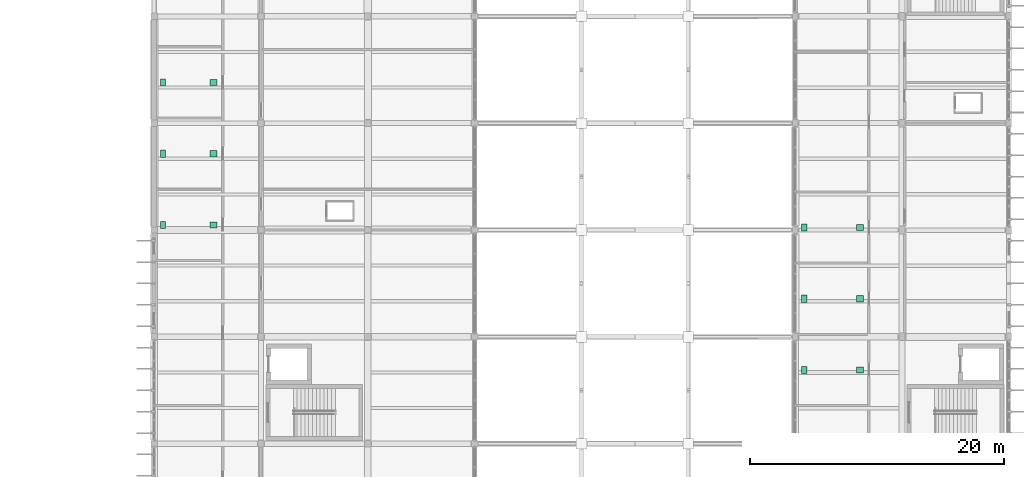
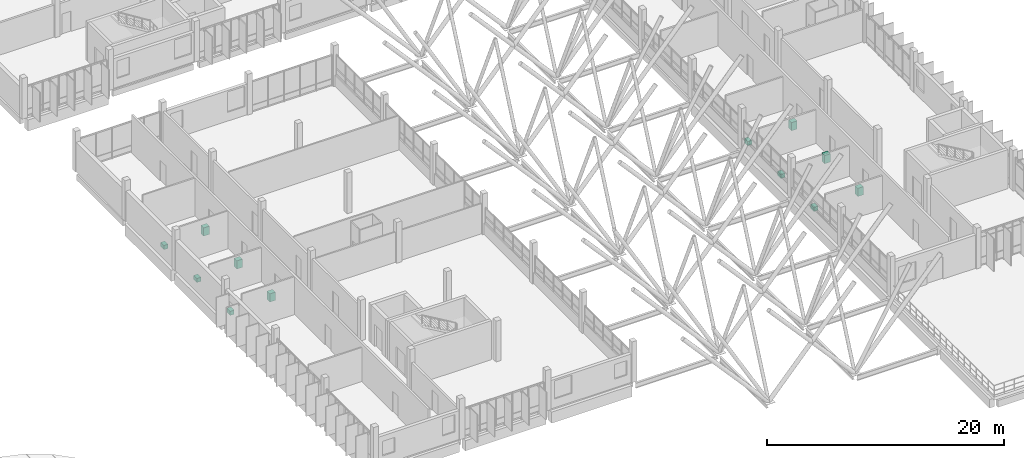
# One storey, part 107 of 107: 12 sanitary terminals.
"""IFC4 building model written with IfcOpenShell, lengths in metres."""

from ifc_helpers import new_model, si_unit, direction, frame, origin, origin_2d, place, context, subcontext, project, spatial, rectangle, extrude, material, type_object, element, save


model = new_model("IFC4")

# Units and contexts
model_context = context("Model", 3, precision=1e-05, world=origin(), true_north=direction((0.0, 1.0)))
body_context = subcontext(model_context, "Body", "Model", "MODEL_VIEW")
ifc_project = project(units=[si_unit("LENGTHUNIT", "METRE"), si_unit("AREAUNIT", "SQUARE_METRE"), si_unit("VOLUMEUNIT", "CUBIC_METRE"), si_unit("PLANEANGLEUNIT", "RADIAN"), si_unit("MASSUNIT", "GRAM", prefix="KILO")], contexts=[model_context])

# Site, building, storey
site_placement = place(None, origin())
site = spatial("IfcSite", under=ifc_project, at=site_placement, CompositionType="ELEMENT")
building_placement = place(site_placement, origin())
building = spatial("IfcBuilding", under=site, at=building_placement, Name="Vireocrest Preparatory School", CompositionType="ELEMENT")
storey_placement = place(building_placement, frame((0.0, 0.0, 13.199951171875)))
storey = spatial("IfcBuildingStorey", under=building, at=storey_placement, Name="L03", CompositionType="ELEMENT", Elevation=13.199951171875)

# Sanitary terminals
ifc_material = material(Name="Vitreous china sanitaryware")
sanitary_terminal_type_1 = type_object("IfcSanitaryTerminalType", Name="Accessible Ceramic Washbasin", PredefinedType="WASHHANDBASIN", material=ifc_material)
for number, where, z_axis, x_axis, name in (
    (1, (46.68994140625, 61.0, 0.0), (0.0, 0.0, 1.0), (1.0, 0.0, 0.0), "Accessible Washbasin L03-W3W03"),
    (2, (46.68994140625, 66.60009765625, 0.0), (0.0, 0.0, 1.0), (1.0, 0.0, 0.0), "Accessible Washbasin L03-W3W04"),
    (3, (46.68994140625, 72.199951171875, 0.0), (0.0, 0.0, 1.0), (1.0, 0.0, 0.0), "Accessible Washbasin L03-W3W05"),
    (4, (97.489990234375, 49.60009765625, 0.0), (0.0, 0.0, 1.0), (1.0, 0.0, 0.0), "Accessible Washbasin L03-E3W02"),
    (5, (97.489990234375, 55.199951171875, 0.0), (0.0, 0.0, 1.0), (1.0, 0.0, 0.0), "Accessible Washbasin L03-E3W03"),
    (6, (97.489990234375, 60.800048828125, 0.0), (0.0, 0.0, 1.0), (1.0, 0.0, 0.0), "Accessible Washbasin L03-E3W04"),
):
    element("IfcSanitaryTerminal", number, at=place(storey_placement, frame(where, z_axis=z_axis, x_axis=x_axis)), inside=storey, type_object=sanitary_terminal_type_1, Name=name, PredefinedType="WASHHANDBASIN", context=body_context, shape_type="SweptSolid", body=[
        extrude(rectangle(XDim=0.550048828125, YDim=0.47998046875, at=origin_2d()), origin(), (0.0, 0.0, 1.0), 0.840087890625),
    ])
sanitary_terminal_type_2 = type_object("IfcSanitaryTerminalType", Name="Wall-Hung Vitreous China WC Pan", PredefinedType="TOILETPAN", material=ifc_material)
for number, where, z_axis, x_axis, name in (
    (7, (42.7099609375, 61.0, 0.0), (0.0, 0.0, 1.0), (1.0, 0.0, 0.0), "WC Pan L03-W3W03"),
    (8, (42.7099609375, 66.60009765625, 0.0), (0.0, 0.0, 1.0), (1.0, 0.0, 0.0), "WC Pan L03-W3W04"),
    (9, (42.7099609375, 72.199951171875, 0.0), (0.0, 0.0, 1.0), (1.0, 0.0, 0.0), "WC Pan L03-W3W05"),
    (10, (93.110107421875, 49.60009765625, 0.0), (0.0, 0.0, 1.0), (1.0, 0.0, 0.0), "WC Pan L03-E3W02"),
    (11, (93.110107421875, 55.199951171875, 0.0), (0.0, 0.0, 1.0), (1.0, 0.0, 0.0), "WC Pan L03-E3W03"),
    (12, (93.110107421875, 60.800048828125, 0.0), (0.0, 0.0, 1.0), (1.0, 0.0, 0.0), "WC Pan L03-E3W04"),
):
    element("IfcSanitaryTerminal", number, at=place(storey_placement, frame(where, z_axis=z_axis, x_axis=x_axis)), inside=storey, type_object=sanitary_terminal_type_2, Name=name, PredefinedType="TOILETPAN", context=body_context, shape_type="SweptSolid", body=[
        extrude(rectangle(XDim=0.39990234375, YDim=0.56005859375, at=origin_2d()), origin(), (0.0, 0.0, 1.0), 0.419921875),
    ])

save(model, "model.ifc")
